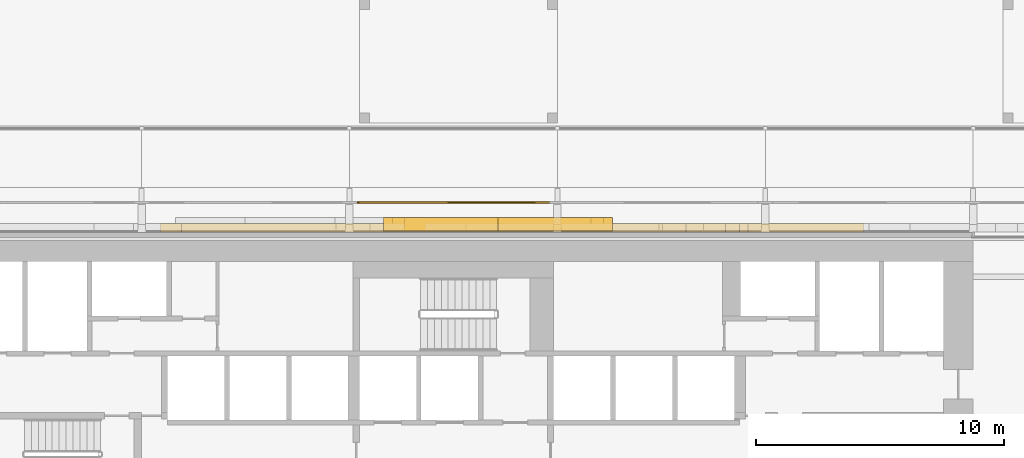
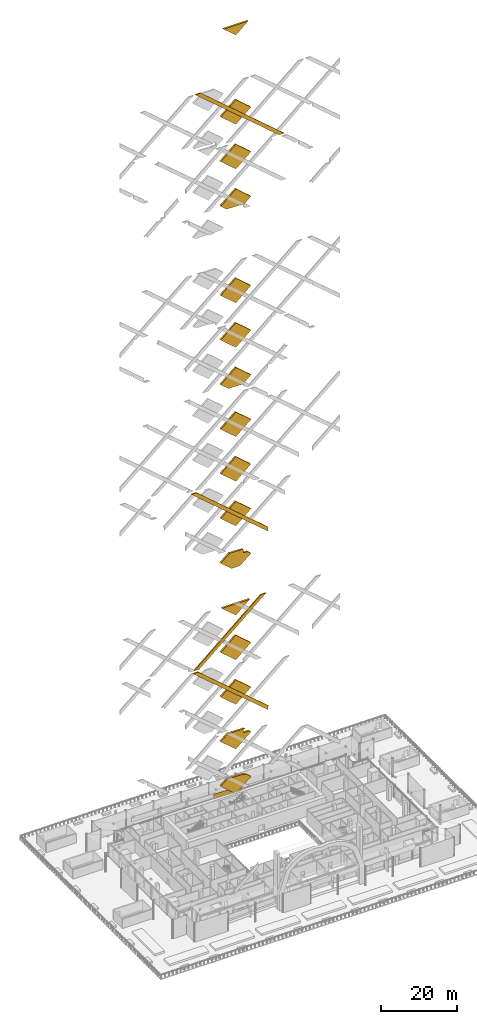
# One storey, part 45 of 60: 20 coverings, 1 railing.
"""IFC4 building model written with IfcOpenShell, lengths in metres."""

from ifc_helpers import new_model, si_unit, direction, frame, origin, origin_2d, place, context, subcontext, project, spatial, polyline, rectangle, outline, extrude, material, layer, layer_set, type_object, element, save


model = new_model("IFC4")

# Units and contexts
model_context = context("Model", 3, precision=1e-05, world=origin(), true_north=direction((0.0, 1.0)))
body_context = subcontext(model_context, "Body", "Model", "MODEL_VIEW")
ifc_project = project(units=[si_unit("LENGTHUNIT", "METRE"), si_unit("AREAUNIT", "SQUARE_METRE"), si_unit("VOLUMEUNIT", "CUBIC_METRE"), si_unit("PLANEANGLEUNIT", "RADIAN"), si_unit("MASSUNIT", "GRAM", prefix="KILO")], contexts=[model_context])

# Site, building, storey
site_placement = place(None, origin())
site = spatial("IfcSite", under=ifc_project, at=site_placement, CompositionType="ELEMENT")
building_placement = place(site_placement, origin())
building = spatial("IfcBuilding", under=site, at=building_placement, Name="Saffron Gate Tower", CompositionType="ELEMENT")
storey_placement = place(building_placement, frame((0.0, 0.0, 19.199951171875)))
storey = spatial("IfcBuildingStorey", under=building, at=storey_placement, Name="L03", CompositionType="ELEMENT", Elevation=19.199951171875)

# Railing
ifc_material_1 = material(Name="Timber, thermally modified ash", Category="wood")
railing_type = type_object("IfcRailingType", Name="LG1 ledge balustrade", PredefinedType="BALUSTRADE", material=ifc_material_1)
railing_placement = place(storey_placement, frame((91.800048828125, 76.800048828125, 2.6572265625)))
element("IfcRailing", 1, at=railing_placement, inside=storey, type_object=railing_type, Name="LEDGE BALUSTRADE", PredefinedType="BALUSTRADE", context=body_context, shape_type="SweptSolid", body=[
    extrude(rectangle(XDim=0.06005859375, YDim=1.60009765625, at=origin_2d()), frame((0.0, 0.0, 0.800048828125), z_axis=(-0.999585472266, 0.0, 0.028790339263), x_axis=(0.0, -1.0, 0.0)), (0.0, 0.0, 1.0), 8.403564453125),
])

# Coverings
ifc_material_2 = material(Name="Ceramic-printed bronze insulated panel")
ifc_layer_1 = layer(ifc_material_2, 0.35009765625)
ifc_layer_set_1 = layer_set([ifc_layer_1], Name="LZ1 lozenge lattice bar 1600")
covering_type_1 = type_object("IfcCoveringType", Name="LZ1 lozenge lattice bar 1600", PredefinedType="CLADDING", material=ifc_layer_set_1)
covering_1_placement = place(storey_placement, frame((104.165771484375, 75.949951171875, 211.2294921875), z_axis=(0.0, 1.0, 0.0), x_axis=(-0.999586778905, 0.0, 0.028744937603)))
element("IfcCovering", 2, at=covering_1_placement, inside=storey, type_object=covering_type_1, Name="CLADDING lozenge lattice bar", PredefinedType="CLADDING", context=body_context, shape_type="SweptSolid", body=[
    extrude(outline(polyline([(0.0, 0.0), (1.6562019557102479, 0.0), (27.73318705719027, 21.082128317399103), (26.13399463478642, 21.12811600687982), (0.0, 0.0)])), origin(), (0.0, 0.0, -1.0), 0.35009765625),
])
covering_2_placement = place(storey_placement, frame((99.14990234375, 75.949951171875, 85.9287109375), z_axis=(0.0, 1.0, 0.0), x_axis=(0.0, 0.0, -1.0)))
element("IfcCovering", 3, at=covering_2_placement, inside=storey, type_object=covering_type_1, Name="CLADDING lozenge lattice bar", PredefinedType="CLADDING", context=body_context, shape_type="SweptSolid", body=[
    extrude(outline(polyline([(0.0, 0.0), (1.37158203125, 0.0), (-18.669677734375, 23.38134765625), (-18.6220703125, 21.725830078125), (0.0, 0.0)])), origin(), (0.0, 0.0, -1.0), 0.35009765625),
])
covering_3_placement = place(storey_placement, frame((99.510009765625, 75.949951171875, 28.02001953125), z_axis=(0.0, 1.0, 0.0), x_axis=(-1.0, 0.0, 0.0)))
element("IfcCovering", 4, at=covering_3_placement, inside=storey, type_object=covering_type_1, Name="CLADDING lozenge lattice bar", PredefinedType="CLADDING", context=body_context, shape_type="SweptSolid", body=[
    extrude(outline(polyline([(0.0, 0.0), (0.360107421875, 0.0), (0.360107421875, -1.062744140625), (23.1982421875, 18.512939453125), (21.542724609375, 18.465087890625), (0.0, 0.0)])), origin(), (0.0, 0.0, -1.0), 0.35009765625),
])
covering_4_placement = place(storey_placement, frame((78.159423828125, 75.949951171875, 47.279541015625), z_axis=(0.0, 1.0, 0.0), x_axis=(-0.999583684676, 0.0, 0.02885233664)))
element("IfcCovering", 5, at=covering_4_placement, inside=storey, type_object=covering_type_1, Name="CLADDING lozenge lattice bar", PredefinedType="CLADDING", context=body_context, shape_type="SweptSolid", body=[
    extrude(outline(polyline([(0.0, 0.0), (1.5484962252077255, 0.0), (-18.32722496179671, 18.056808402810095), (-19.9266564728725, 18.102974959044616), (0.0, 0.0)])), origin(), (0.0, 0.0, -1.0), 0.35009765625),
])
ifc_layer_2 = layer(ifc_material_2, 0.550048828125)
ifc_layer_set_2 = layer_set([ifc_layer_2], Name="LZ2 rear relief panel 550")
covering_type_2 = type_object("IfcCoveringType", Name="LZ2 rear relief panel 550", PredefinedType="CLADDING", material=ifc_layer_set_2)
covering_5_placement = place(storey_placement, frame((86.7421875, 76.18994140625, 8.882080078125), z_axis=(0.0, 1.0, 0.0), x_axis=(0.999585051161, 0.0, -0.028804956101)))
element("IfcCovering", 6, at=covering_5_placement, inside=storey, type_object=covering_type_2, Name="CLADDING rear relief panel", PredefinedType="CLADDING", context=body_context, shape_type="SweptSolid", body=[
    extrude(outline(polyline([(0.0, 0.0), (5.059960953049158, 0.0), (5.0666206926555, 0.2311052352170954), (5.788354639786499, 0.23106765808584923), (7.323265752596956, 1.4717932766427722), (2.8191321783272283, 5.563193305715338), (-1.9128903585555368, 1.7379507897169644), (0.0, 0.0)])), origin(), (0.0, 0.0, -1.0), 0.550048828125),
])
covering_6_placement = place(storey_placement, frame((86.935302734375, 76.18994140625, 23.447509765625), z_axis=(0.0, 1.0, 0.0), x_axis=(0.999585348395, 0.0, -0.028794639666)))
element("IfcCovering", 7, at=covering_6_placement, inside=storey, type_object=covering_type_2, Name="CLADDING rear relief panel", PredefinedType="CLADDING", context=body_context, shape_type="SweptSolid", body=[
    extrude(outline(polyline([(0.0, 0.0), (4.866764105296033, 2.7755575615628914e-17), (4.8611331222950005, -0.19547555275015205), (5.226985328711692, 0.10050907967298064), (4.869653411180459, 0.10030018998790577), (4.901330326789267, 1.199941688979398), (6.58733320600463, 1.1999778429633532), (7.134974673689739, 1.6426442096796736), (2.6307988734811008, 5.733997752649735), (-2.1011841839070216, 1.9087063989931605), (0.0, 0.0)])), origin(), (0.0, 0.0, -1.0), 0.550048828125),
])
covering_7_placement = place(storey_placement, frame((89.39990234375, 76.18994140625, 39.9599609375), z_axis=(0.0, 1.0, 0.0), x_axis=(0.759267930803, 0.0, -0.650778156712)))
element("IfcCovering", 8, at=covering_7_placement, inside=storey, type_object=covering_type_2, Name="CLADDING rear relief panel", PredefinedType="CLADDING", context=body_context, shape_type="SweptSolid", body=[
    extrude(outline(polyline([(0.0, 0.0), (6.08496289658029, 4.440892098500626e-16), (5.154112159118887, 6.013342694153257), (-0.9306653693142333, 6.013183812767341), (0.0, 0.0)])), origin(), (0.0, 0.0, -1.0), 0.550048828125),
])
covering_8_placement = place(storey_placement, frame((89.39990234375, 76.18994140625, 54.360107421875), z_axis=(0.0, 1.0, 0.0), x_axis=(0.759267930803, 0.0, -0.650778156712)))
element("IfcCovering", 9, at=covering_8_placement, inside=storey, type_object=covering_type_2, Name="CLADDING rear relief panel", PredefinedType="CLADDING", context=body_context, shape_type="SweptSolid", body=[
    extrude(outline(polyline([(0.0, 0.0), (6.08496289658029, 4.440892098500626e-16), (5.154271040504804, 6.013528062300426), (-0.9306653693142333, 6.013183812767341), (0.0, 0.0)])), origin(), (0.0, 0.0, -1.0), 0.550048828125),
])
covering_9_placement = place(storey_placement, frame((85.1298828125, 76.18994140625, 64.5), z_axis=(0.0, 1.0, 0.0), x_axis=(1.0, 0.0, 0.0)))
element("IfcCovering", 10, at=covering_9_placement, inside=storey, type_object=covering_type_2, Name="CLADDING rear relief panel", PredefinedType="CLADDING", context=body_context, shape_type="SweptSolid", body=[
    extrude(outline(polyline([(0.0, 0.0), (8.5400390625, 0.0), (4.27001953125, 3.659912109375), (0.0, 0.0)])), origin(), (0.0, 0.0, -1.0), 0.550048828125),
])
covering_10_placement = place(storey_placement, frame((87.443115234375, 76.18994140625, 81.48291015625), z_axis=(0.0, 1.0, 0.0), x_axis=(0.999585077123, 0.0, -0.028804055152)))
element("IfcCovering", 11, at=covering_10_placement, inside=storey, type_object=covering_type_2, Name="CLADDING rear relief panel", PredefinedType="CLADDING", context=body_context, shape_type="SweptSolid", body=[
    extrude(outline(polyline([(0.0, 0.0), (4.051485741620453, -1.3877787807814457e-17), (4.366067967810561, 0.25422783490161427), (4.39331789791671, 1.1998802210957615), (5.5356391755410606, 1.1999357434260198), (6.639933865317868, 2.092570218366947), (3.39844962958909, 5.037013341504992), (0.8094364256836165, 5.111618375955609), (-2.596222485724686, 2.3587194066837025), (0.0, 0.0)])), origin(), (0.0, 0.0, -1.0), 0.550048828125),
])
for number, where, z_axis, x_axis, name in (
    (12, (89.39990234375, 76.18994140625, 97.56005859375), (0.0, 1.0, 0.0), (0.759267930803, 0.0, -0.650778156712), "CLADDING rear relief panel"),
    (13, (89.39990234375, 76.18994140625, 111.9599609375), (0.0, 1.0, 0.0), (0.759267930803, 0.0, -0.650778156712), "CLADDING rear relief panel"),
):
    element("IfcCovering", number, at=place(storey_placement, frame(where, z_axis=z_axis, x_axis=x_axis)), inside=storey, type_object=covering_type_2, Name=name, PredefinedType="CLADDING", context=body_context, shape_type="SweptSolid", body=[
        extrude(outline(polyline([(0.0, 0.0), (6.08496289658029, 4.440892098500626e-16), (5.154112159118887, 6.013342694153257), (-0.9306653693142333, 6.013183812767341), (0.0, 0.0)])), origin(), (0.0, 0.0, -1.0), 0.550048828125),
    ])
covering_11_placement = place(storey_placement, frame((89.39990234375, 76.18994140625, 126.360107421875), z_axis=(0.0, 1.0, 0.0), x_axis=(0.759267930803, 0.0, -0.650778156712)))
element("IfcCovering", 14, at=covering_11_placement, inside=storey, type_object=covering_type_2, Name="CLADDING rear relief panel", PredefinedType="CLADDING", context=body_context, shape_type="SweptSolid", body=[
    extrude(outline(polyline([(0.0, 0.0), (6.08496289658029, 4.440892098500626e-16), (5.154271040504804, 6.013528062300426), (-0.9306653693142333, 6.013183812767341), (0.0, 0.0)])), origin(), (0.0, 0.0, -1.0), 0.550048828125),
])
covering_12_placement = place(storey_placement, frame((89.39990234375, 76.18994140625, 140.760009765625), z_axis=(0.0, 1.0, 0.0), x_axis=(0.759267930803, 0.0, -0.650778156712)))
element("IfcCovering", 15, at=covering_12_placement, inside=storey, type_object=covering_type_2, Name="CLADDING rear relief panel", PredefinedType="CLADDING", context=body_context, shape_type="SweptSolid", body=[
    extrude(outline(polyline([(0.0, 0.0), (6.08496289658029, 4.440892098500626e-16), (5.5832547790014715, 3.2419523461066935), (2.1547414019297046, 6.013369925364899), (-0.9306653693142333, 6.013183812767341), (0.0, 0.0)])), origin(), (0.0, 0.0, -1.0), 0.550048828125),
])
covering_13_placement = place(storey_placement, frame((89.281982421875, 76.18994140625, 155.058837890625), z_axis=(0.0, 1.0, 0.0), x_axis=(0.999580603728, 0.0, -0.028958878629)))
element("IfcCovering", 16, at=covering_13_placement, inside=storey, type_object=covering_type_2, Name="CLADDING rear relief panel", PredefinedType="CLADDING", context=body_context, shape_type="SweptSolid", body=[
    extrude(outline(polyline([(0.0, 0.0), (0.2444873026883856, 0.0), (4.8477990264062125, 3.7200600744523906), (0.34429552699900645, 7.812153631983284), (-4.388315990507896, 3.987639830187165), (0.0, 0.0)])), origin(), (0.0, 0.0, -1.0), 0.550048828125),
])
covering_14_placement = place(storey_placement, frame((89.39990234375, 76.18994140625, 169.56005859375), z_axis=(0.0, 1.0, 0.0), x_axis=(0.759267930803, 0.0, -0.650778156712)))
element("IfcCovering", 17, at=covering_14_placement, inside=storey, type_object=covering_type_2, Name="CLADDING rear relief panel", PredefinedType="CLADDING", context=body_context, shape_type="SweptSolid", body=[
    extrude(outline(polyline([(0.0, 0.0), (6.08496289658029, 4.440892098500626e-16), (5.154112159118887, 6.013342694153257), (-0.9306653693142333, 6.013183812767341), (0.0, 0.0)])), origin(), (0.0, 0.0, -1.0), 0.550048828125),
])
covering_15_placement = place(storey_placement, frame((89.39990234375, 76.18994140625, 198.360107421875), z_axis=(0.0, 1.0, 0.0), x_axis=(0.759267930803, 0.0, -0.650778156712)))
element("IfcCovering", 18, at=covering_15_placement, inside=storey, type_object=covering_type_2, Name="CLADDING rear relief panel", PredefinedType="CLADDING", context=body_context, shape_type="SweptSolid", body=[
    extrude(outline(polyline([(0.0, 0.0), (6.08496289658029, 4.440892098500626e-16), (5.637890737591269, 2.889653149315434), (5.5010938643174905, 2.730051174603167), (1.4393104715372655, 6.013383952377516), (-0.9306653693142333, 6.013183812767341), (0.0, 0.0)])), origin(), (0.0, 0.0, -1.0), 0.550048828125),
])
covering_16_placement = place(storey_placement, frame((89.39990234375, 76.18994140625, 212.760009765625), z_axis=(0.0, 1.0, 0.0), x_axis=(0.759267930803, 0.0, -0.650778156712)))
element("IfcCovering", 19, at=covering_16_placement, inside=storey, type_object=covering_type_2, Name="CLADDING rear relief panel", PredefinedType="CLADDING", context=body_context, shape_type="SweptSolid", body=[
    extrude(outline(polyline([(0.0, 0.0), (6.08496289658029, 4.440892098500626e-16), (5.154112159118887, 6.013342694153257), (-0.9306653693142333, 6.013183812767341), (0.0, 0.0)])), origin(), (0.0, 0.0, -1.0), 0.550048828125),
])
covering_17_placement = place(storey_placement, frame((89.39990234375, 76.18994140625, 227.16015625), z_axis=(0.0, 1.0, 0.0), x_axis=(0.759248106108, 0.0, -0.650801285625)))
element("IfcCovering", 20, at=covering_17_placement, inside=storey, type_object=covering_type_2, Name="CLADDING rear relief panel", PredefinedType="CLADDING", context=body_context, shape_type="SweptSolid", body=[
    extrude(outline(polyline([(0.0, 0.0), (6.085121780789596, 0.0), (5.154454225335361, 6.01337104742287), (-0.9303233051144564, 6.013397523697402), (0.0, 0.0)])), origin(), (0.0, 0.0, -1.0), 0.550048828125),
])
covering_18_placement = place(storey_placement, frame((89.39990234375, 76.18994140625, 248.0400390625), z_axis=(0.0, 1.0, 0.0), x_axis=(-0.759256602365, 0.0, 0.650791373456)))
element("IfcCovering", 21, at=covering_18_placement, inside=storey, type_object=covering_type_2, Name="CLADDING rear relief panel", PredefinedType="CLADDING", context=body_context, shape_type="SweptSolid", body=[
    extrude(outline(polyline([(0.0, 0.0), (4.96315808797139, 0.0), (-0.7590712369838601, 4.904767992818786), (0.0, 0.0)])), origin(), (0.0, 0.0, -1.0), 0.550048828125),
])

save(model, "model.ifc")
